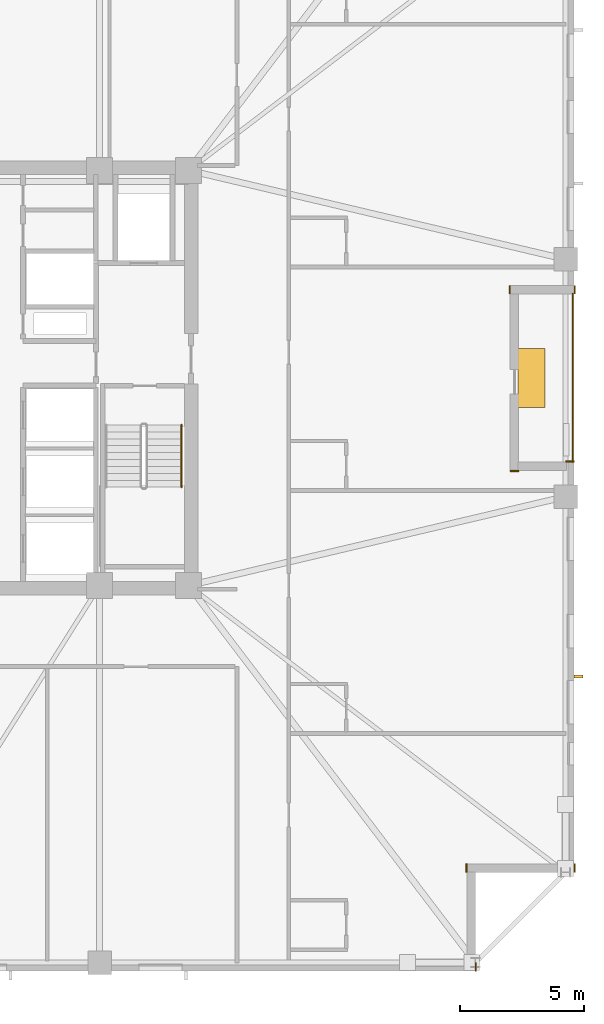
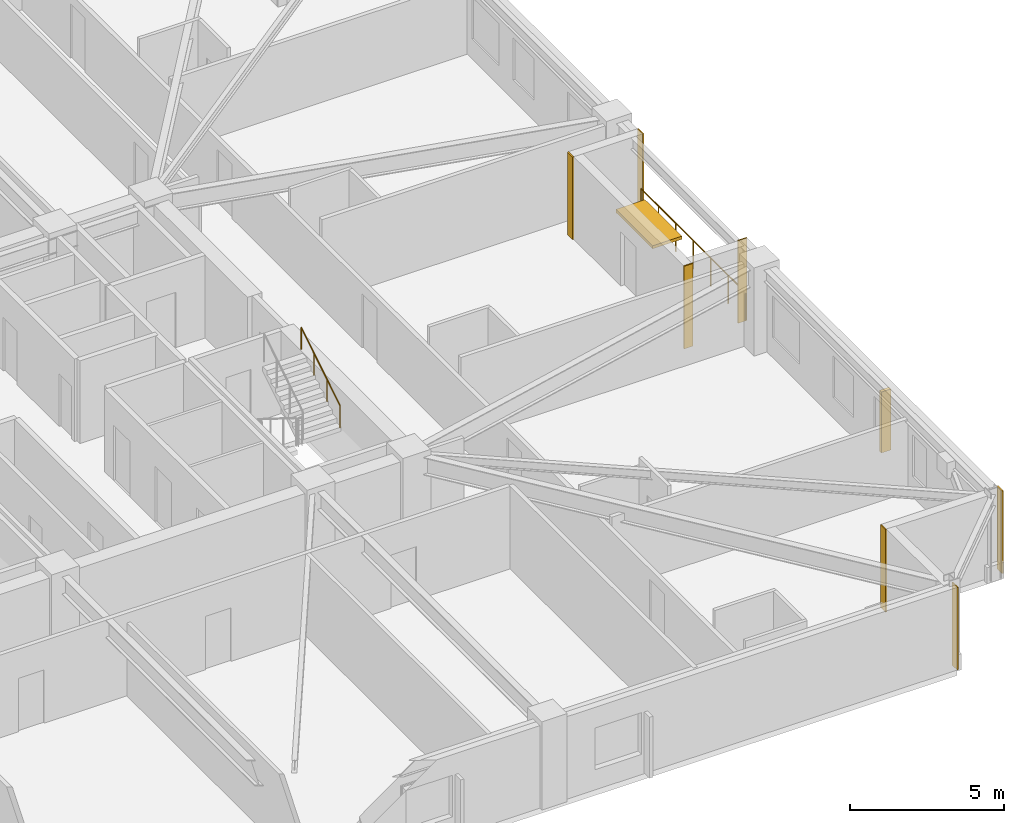
# One storey, part 8 of 10: 7 coverings, 2 railings, 2 shading devices.
"""IFC4 building model written with IfcOpenShell, lengths in metres."""

from ifc_helpers import new_model, si_unit, direction, frame, frame_2d, origin, origin_2d, place, context, subcontext, project, spatial, rectangle, circle, extrude, material, layer, layer_set, type_object, element, save


model = new_model("IFC4")

# Units and contexts
model_context = context("Model", 3, precision=1e-05, world=origin(), true_north=direction((0.0, 1.0)))
body_context = subcontext(model_context, "Body", "Model", "MODEL_VIEW")
ifc_project = project(units=[si_unit("LENGTHUNIT", "METRE"), si_unit("AREAUNIT", "SQUARE_METRE"), si_unit("VOLUMEUNIT", "CUBIC_METRE"), si_unit("PLANEANGLEUNIT", "RADIAN"), si_unit("MASSUNIT", "GRAM", prefix="KILO")], contexts=[model_context])

# Site, building, storey
site_placement = place(None, origin())
site = spatial("IfcSite", under=ifc_project, at=site_placement, CompositionType="ELEMENT")
building_placement = place(site_placement, origin())
building = spatial("IfcBuilding", under=site, at=building_placement, Name="Cairnveth Concourse Tower", CompositionType="ELEMENT")
storey_placement = place(building_placement, frame((0.0, 0.0, 186.5)))
storey = spatial("IfcBuildingStorey", under=building, at=storey_placement, Name="L51", CompositionType="ELEMENT", Elevation=186.5)

# Coverings
ifc_material_1 = material(Name="Dressed Melbourne Bluestone Cladding", Category="masonry")
ifc_layer = layer(ifc_material_1, 0.050048828125)
ifc_layer_set = layer_set([ifc_layer], Name="Dressed Melbourne Bluestone Cladding")
covering_type = type_object("IfcCoveringType", Name="DRESSED BLUESTONE PLINTH CLADDING 50", PredefinedType="CLADDING", material=ifc_layer_set)
for number, where, z_axis, x_axis, name in (
    (1, (75.659912109375, 35.6201171875, 0.0), (0.0, 0.0, 1.0), (1.0, 0.0, 0.0), "Melbourne Bluestone Corner Quoin L51-755"),
    (2, (76.02001953125, 19.340087890625, 0.0), (0.0, 0.0, 1.0), (0.0, -1.0, 0.0), "Melbourne Bluestone Corner Quoin L51-756"),
    (3, (71.639892578125, 19.340087890625, 0.0), (0.0, 0.0, 1.0), (0.0, -1.0, 0.0), "Melbourne Bluestone Corner Quoin L51-757"),
    (4, (72.02001953125, 15.340087890625, 0.0), (0.0, 0.0, 1.0), (0.0, -1.0, 0.0), "Melbourne Bluestone Corner Quoin L51-758"),
    (5, (76.02001953125, 42.739990234375, 0.0), (0.0, 0.0, 1.0), (0.0, -1.0, 0.0), "Melbourne Bluestone Corner Quoin L51-768"),
    (6, (73.389892578125, 42.739990234375, 0.0), (0.0, 0.0, 1.0), (0.0, -1.0, 0.0), "Melbourne Bluestone Corner Quoin L51-769"),
    (7, (73.409912109375, 35.239990234375, 0.0), (0.0, 0.0, 1.0), (1.0, 0.0, 0.0), "Melbourne Bluestone Corner Quoin L51-770"),
):
    element("IfcCovering", number, at=place(storey_placement, frame(where, z_axis=z_axis, x_axis=x_axis)), inside=storey, type_object=covering_type, Name=name, PredefinedType="CLADDING", context=body_context, shape_type="SweptSolid", body=[
        extrude(rectangle(XDim=0.340087890625, YDim=0.050048828125, at=frame_2d((0.169921875, 0.0))), origin(), (0.0, 0.0, 1.0), 3.280029296875),
    ])

# Shading devices
ifc_material_2 = material(Name="Architectural Bronze Anodised Aluminium 6063-T6", Category="aluminium")
shading_device_type_1 = type_object("IfcShadingDeviceType", Name="GOTHIC BRONZE VERTICAL LANCET FIN", PredefinedType="USERDEFINED", material=ifc_material_2)
shading_device_1_placement = place(storey_placement, frame((76.175048828125, 26.916748046875, 0.030029296875), z_axis=(0.0, 0.0, 1.0), x_axis=(0.0, 1.0, 0.0)))
element("IfcShadingDevice", 8, at=shading_device_1_placement, inside=storey, type_object=shading_device_type_1, Name="Gothic Bronze Vertical Fin L51-0-3", ObjectType="VERTICAL FIN", PredefinedType="USERDEFINED", context=body_context, shape_type="SweptSolid", body=[
    extrude(rectangle(XDim=0.1201171875, YDim=0.360107421875, at=origin_2d()), origin(), (0.0, 0.0, 1.0), 2.419921875),
])
shading_device_type_2 = type_object("IfcShadingDeviceType", Name="SPIRAL TERRACE SUNSHADE CANOPY", PredefinedType="USERDEFINED", material=ifc_material_2)
shading_device_2_placement = place(storey_placement, frame((74.27001953125, 39.0, 2.300048828125), z_axis=(0.0, 0.0, 1.0), x_axis=(1.0, 0.0, 0.0)))
element("IfcShadingDevice", 9, at=shading_device_2_placement, inside=storey, type_object=shading_device_type_2, Name="Spiral Terrace Sunshade L51", ObjectType="TERRACE SUNSHADE", PredefinedType="USERDEFINED", context=body_context, shape_type="SweptSolid", body=[
    extrude(rectangle(XDim=1.10009765625, YDim=2.39990234375, at=origin_2d()), origin(), (0.0, 0.0, 1.0), 0.1201171875),
])

# Railings
ifc_material_3 = material(Name="Steel Grade 350", Category="steel")
railing_type_1 = type_object("IfcRailingType", Name="STAIR WALL HANDRAIL 900", PredefinedType="HANDRAIL", material=ifc_material_3)
railing_1_placement = place(storey_placement, frame((60.110107421875, 34.580078125, 1.925048828125)))
element("IfcRailing", 10, at=railing_1_placement, inside=storey, type_object=railing_type_1, Name="L51 ST-2 stair handrail 2", PredefinedType="HANDRAIL", context=body_context, shape_type="SweptSolid", body=[
    extrude(circle(Radius=0.02392578125, at=origin_2d()), frame((0.0, 0.0, 0.8759765625), z_axis=(0.0, 0.848007534815, 0.529984170421), x_axis=(-1.0, 0.0, 0.0)), (0.0, 0.0, 1.0), 2.9716796875),
    extrude(circle(Radius=0.02099609375, at=origin_2d()), origin(), (0.0, 0.0, 1.0), 0.851806640625),
    extrude(circle(Radius=0.02099609375, at=origin_2d()), frame((0.0, 0.840087890625, 0.52490234375)), (0.0, 0.0, 1.0), 0.851806640625),
    extrude(circle(Radius=0.02099609375, at=origin_2d()), frame((0.0, 1.679931640625, 1.050048828125)), (0.0, 0.0, 1.0), 0.851806640625),
    extrude(circle(Radius=0.02099609375, at=origin_2d()), frame((0.0, 2.52001953125, 1.574951171875)), (0.0, 0.0, 1.0), 0.851806640625),
])
railing_type_2 = type_object("IfcRailingType", Name="TERRACE BRONZE BALUSTRADE 1150", PredefinedType="BALUSTRADE", material=ifc_material_2)
railing_2_placement = place(storey_placement, frame((75.93994140625, 35.60009765625, 0.0)))
element("IfcRailing", 11, at=railing_2_placement, inside=storey, type_object=railing_type_2, Name="Terrace Balustrade RL-L51-TERR", PredefinedType="BALUSTRADE", context=body_context, shape_type="SweptSolid", body=[
    extrude(circle(Radius=0.02490234375, at=origin_2d()), frame((0.0, 0.0, 1.125), z_axis=(0.0, 1.0, 0.0), x_axis=(-1.0, 0.0, 0.0)), (0.0, 0.0, 1.0), 6.7998046875),
    extrude(circle(Radius=0.02099609375, at=origin_2d()), origin(), (0.0, 0.0, 1.0), 1.099853515625),
    extrude(circle(Radius=0.02099609375, at=origin_2d()), frame((0.0, 1.13330078125, 0.0)), (0.0, 0.0, 1.0), 1.099853515625),
    extrude(circle(Radius=0.02099609375, at=origin_2d()), frame((0.0, 2.2666015625, 0.0)), (0.0, 0.0, 1.0), 1.099853515625),
    extrude(circle(Radius=0.02099609375, at=origin_2d()), frame((0.0, 3.39990234375, 0.0)), (0.0, 0.0, 1.0), 1.099853515625),
    extrude(circle(Radius=0.02099609375, at=origin_2d()), frame((0.0, 4.533203125, 0.0)), (0.0, 0.0, 1.0), 1.099853515625),
    extrude(circle(Radius=0.02099609375, at=origin_2d()), frame((0.0, 5.66650390625, 0.0)), (0.0, 0.0, 1.0), 1.099853515625),
    extrude(circle(Radius=0.02099609375, at=origin_2d()), frame((0.0, 6.7998046875, 0.0)), (0.0, 0.0, 1.0), 1.099853515625),
])

save(model, "model.ifc")
